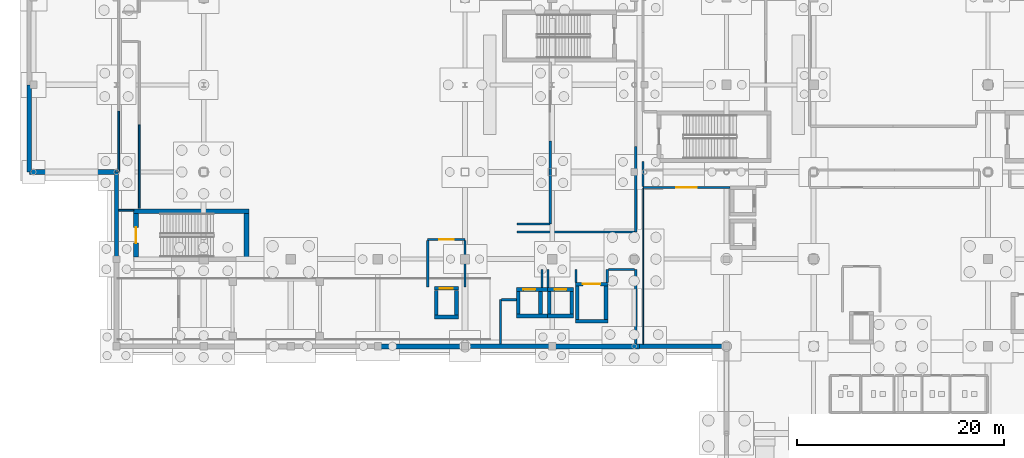
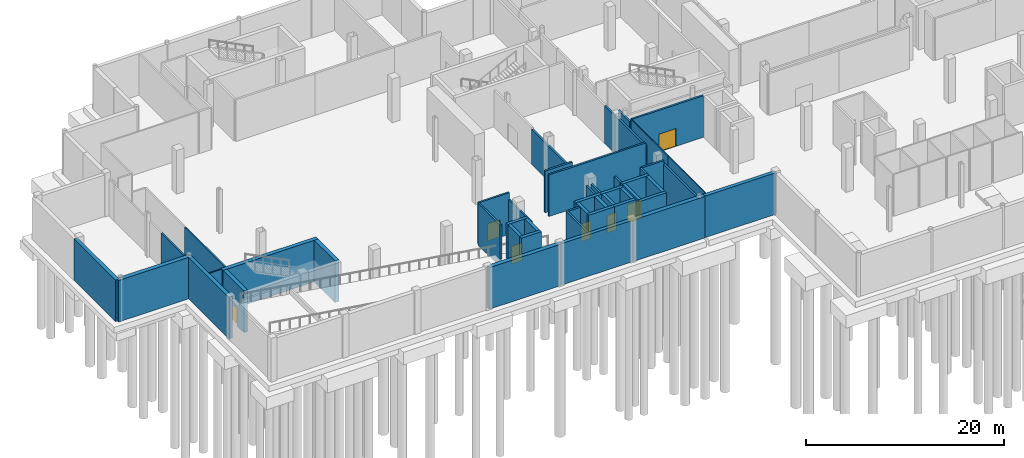
# One storey, part 26 of 49: 48 walls, 7 doors, 7 openings.
"""IFC4 building model written with IfcOpenShell, lengths in metres."""

from ifc_helpers import new_model, si_unit, direction, frame, frame_2d, origin, place, context, subcontext, project, spatial, rectangle, extrude, material, layer, layer_set, type_object, element, fill, save


model = new_model("IFC4")

# Units and contexts
model_context = context("Model", 3, precision=1e-05, world=origin(), true_north=direction((0.0, 1.0)))
body_context = subcontext(model_context, "Body", "Model", "MODEL_VIEW")
ifc_project = project(units=[si_unit("LENGTHUNIT", "METRE"), si_unit("AREAUNIT", "SQUARE_METRE"), si_unit("VOLUMEUNIT", "CUBIC_METRE"), si_unit("PLANEANGLEUNIT", "RADIAN"), si_unit("MASSUNIT", "GRAM", prefix="KILO"), si_unit("THERMODYNAMICTEMPERATUREUNIT", "KELVIN")], contexts=[model_context])

# Site, building, storey
site_placement = place(None, origin())
site = spatial("IfcSite", under=ifc_project, at=site_placement, CompositionType="ELEMENT")
building_placement = place(site_placement, origin())
building = spatial("IfcBuilding", under=site, at=building_placement, Name="Lustrewick Department Store", CompositionType="ELEMENT")
storey_placement = place(building_placement, frame((0.0, 0.0, -5.39990234375)))
storey = spatial("IfcBuildingStorey", under=building, at=storey_placement, Name="B1", CompositionType="ELEMENT", Elevation=-5.39990234375)

# Walls
ifc_material_1 = material(Name="Autoclaved aerated concrete blockwork and fire board", Category="masonry")
ifc_layer_1 = layer(ifc_material_1, 0.219970703125, Name="Autoclaved aerated concrete blockwork and fire board")
ifc_layer_set_1 = layer_set([ifc_layer_1], Name="Autoclaved aerated concrete blockwork and fire board")
wall_type_1 = type_object("IfcWallType", Name="PW01", PredefinedType="PARTITIONING", material=ifc_layer_set_1)
wall_1_placement = place(storey_placement, frame((58.43994140625, 53.010009765625, 0.0), z_axis=(0.0, 0.0, 1.0), x_axis=(0.0, 1.0, 0.0)))
element("IfcWall", 1, at=wall_1_placement, inside=storey, type_object=wall_type_1, Name="B1 V1 Reserve Merchandise Stockroom 1 PW01", PredefinedType="PARTITIONING", context=body_context, shape_type="SweptSolid", body=[
    extrude(rectangle(XDim=8.239990234375, YDim=0.219970703125, at=frame_2d((4.1201171875, 0.0))), origin(), (0.0, 0.0, 1.0), 4.681884765625),
])
wall_2_placement = place(storey_placement, frame((50.2099609375, 61.794921875, 0.0), z_axis=(0.0, 0.0, 1.0), x_axis=(0.0, -1.0, 0.0)))
element("IfcWall", 2, at=wall_2_placement, inside=storey, type_object=wall_type_1, Name="B1 V1 Reserve Merchandise Stockroom 1 PW01", PredefinedType="PARTITIONING", context=body_context, shape_type="SweptSolid", body=[
    extrude(rectangle(XDim=7.994873046875, YDim=0.219970703125, at=frame_2d((3.99755859375, 0.0))), origin(), (0.0, 0.0, 1.0), 4.322021484375),
])
wall_3_placement = place(storey_placement, frame((47.010009765625, 53.010009765625, 0.0), z_axis=(0.0, 0.0, 1.0), x_axis=(1.0, 0.0, 0.0)))
element("IfcWall", 3, at=wall_3_placement, inside=storey, type_object=wall_type_1, Name="B1 V1 Reserve Merchandise Stockroom 1 PW01", PredefinedType="PARTITIONING", context=body_context, shape_type="SweptSolid", body=[
    extrude(rectangle(XDim=11.324951171875, YDim=0.219970703125, at=frame_2d((5.66259765625, 0.0))), origin(), (0.0, 0.0, 1.0), 5.14501953125),
])
wall_4_placement = place(storey_placement, frame((50.199951171875, 53.7900390625, 0.0), z_axis=(0.0, 0.0, 1.0), x_axis=(-1.0, 0.0, 0.0)))
element("IfcWall", 4, at=wall_4_placement, inside=storey, type_object=wall_type_1, Name="B1 V1 Reserve Merchandise Stockroom 1 PW01", PredefinedType="PARTITIONING", context=body_context, shape_type="SweptSolid", body=[
    extrude(rectangle(XDim=3.18994140625, YDim=0.219970703125, at=frame_2d((1.594970703125, 0.0))), origin(), (0.0, 0.0, 1.0), 5.14501953125),
])
wall_5_placement = place(storey_placement, frame((58.43994140625, 42.235107421875, 0.0), z_axis=(0.0, 0.0, 1.0), x_axis=(0.0, 1.0, 0.0)))
element("IfcWall", 5, at=wall_5_placement, inside=storey, type_object=wall_type_1, Name="B1 V1 Reserve Merchandise Stockroom 2 PW01", PredefinedType="PARTITIONING", context=body_context, shape_type="SweptSolid", body=[
    extrude(rectangle(XDim=7.15478515625, YDim=0.219970703125, at=frame_2d((3.577392578125, 0.0))), origin(), (0.0, 0.0, 1.0), 4.681884765625),
])
for number, where, z_axis, x_axis, name in (
    (6, (55.7099609375, 49.389892578125, 0.0), (0.0, 0.0, 1.0), (0.0, -1.0, 0.0), "B1 V1 Reserve Merchandise Stockroom 2 PW01"),
    (7, (52.68994140625, 48.155029296875, 0.0), (0.0, 0.0, 1.0), (0.0, 1.0, 0.0), "B1 V1 Reserve Merchandise Stockroom 2 PW01"),
):
    element("IfcWall", number, at=place(storey_placement, frame(where, z_axis=z_axis, x_axis=x_axis)), inside=storey, type_object=wall_type_1, Name=name, PredefinedType="PARTITIONING", context=body_context, shape_type="SweptSolid", body=[
        extrude(rectangle(XDim=1.23486328125, YDim=0.219970703125, at=frame_2d((0.617431640625, 0.0))), origin(), (0.0, 0.0, 1.0), 5.14501953125),
    ])
for number, where, z_axis, x_axis, name in (
    (8, (49.989990234375, 47.655029296875, 0.0), (0.0, 0.0, 1.0), (0.0, 1.0, 0.0), "B1 V1 Reserve Merchandise Stockroom 2 PW01"),
    (9, (49.409912109375, 49.389892578125, 0.0), (0.0, 0.0, 1.0), (0.0, -1.0, 0.0), "B1 V1 Reserve Merchandise Stockroom 2 PW01"),
):
    element("IfcWall", number, at=place(storey_placement, frame(where, z_axis=z_axis, x_axis=x_axis)), inside=storey, type_object=wall_type_1, Name=name, PredefinedType="PARTITIONING", context=body_context, shape_type="SweptSolid", body=[
        extrude(rectangle(XDim=1.73486328125, YDim=0.219970703125, at=frame_2d((0.867431640625, 0.0))), origin(), (0.0, 0.0, 1.0), 5.14501953125),
    ])
wall_6_placement = place(storey_placement, frame((45.409912109375, 46.489990234375, 0.0), z_axis=(0.0, 0.0, 1.0), x_axis=(0.0, -1.0, 0.0)))
element("IfcWall", 10, at=wall_6_placement, inside=storey, type_object=wall_type_1, Name="B1 V1 Reserve Merchandise Stockroom 2 PW01", PredefinedType="PARTITIONING", context=body_context, shape_type="SweptSolid", body=[
    extrude(rectangle(XDim=4.284912109375, YDim=0.219970703125, at=frame_2d((2.142578125, 0.0))), origin(), (0.0, 0.0, 1.0), 5.14501953125),
])
wall_7_placement = place(storey_placement, frame((58.3349609375, 49.389892578125, 0.0), z_axis=(0.0, 0.0, 1.0), x_axis=(-1.0, 0.0, 0.0)))
element("IfcWall", 11, at=wall_7_placement, inside=storey, type_object=wall_type_1, Name="B1 V1 Reserve Merchandise Stockroom 2 PW01", PredefinedType="PARTITIONING", context=body_context, shape_type="SweptSolid", body=[
    extrude(rectangle(XDim=2.52001953125, YDim=0.219970703125, at=frame_2d((1.260009765625, 0.0))), origin(), (0.0, 0.0, 1.0), 5.14501953125),
])
wall_8_placement = place(storey_placement, frame((46.945068359375, 46.489990234375, 0.0), z_axis=(0.0, 0.0, 1.0), x_axis=(-1.0, 0.0, 0.0)))
element("IfcWall", 12, at=wall_8_placement, inside=storey, type_object=wall_type_1, Name="B1 V1 Reserve Merchandise Stockroom 2 PW01", PredefinedType="PARTITIONING", context=body_context, shape_type="SweptSolid", body=[
    extrude(rectangle(XDim=1.43017578125, YDim=0.219970703125, at=frame_2d((0.715087890625, 0.0))), origin(), (0.0, 0.0, 1.0), 5.14501953125),
])

# Wall, opening, door
wall_9_placement = place(storey_placement, frame((59.159912109375, 57.313720703125, 0.0), z_axis=(0.0, 0.0, 1.0), x_axis=(1.0, 0.0, 0.0)))
wall_9 = element("IfcWall", 13, at=wall_9_placement, inside=storey, type_object=wall_type_1, Name="B1 V2 Reserve Stockroom 1 PW01", PredefinedType="PARTITIONING", context=body_context, shape_type="SweptSolid", body=[
    extrude(rectangle(XDim=8.380126953125, YDim=0.219970703125, at=frame_2d((4.18994140625, 0.0))), origin(), (0.0, 0.0, 1.0), 5.14501953125),
])
opening_1_placement = place(wall_9_placement, frame((3.18994140625, 0.0, 0.0)))
opening_1 = element("IfcOpeningElement", 14, at=opening_1_placement, cuts=wall_9, Name="Opening D-B1-053", PredefinedType="OPENING", context=body_context, shape_type="SweptSolid", body=[
    extrude(rectangle(XDim=2.0, YDim=2.199951171875, at=frame_2d((1.0, 1.10009765625))), frame((0.0, 0.1201171875, 0.0), z_axis=(0.0, -1.0, 0.0), x_axis=(1.0, 0.0, 0.0)), (0.0, 0.0, 1.0), 0.239990234375),
])
ifc_material_2 = material(Name="Steel fire door Class A EI 90", Category="steel")
door_type_1 = type_object("IfcDoorType", Name="DT-06", OperationType="NOTDEFINED", PredefinedType="DOOR", material=ifc_material_2)
door_1_placement = place(opening_1_placement, origin())
door_1 = element("IfcDoor", 15, at=door_1_placement, inside=storey, type_object=door_type_1, Name="B1 V2 Reserve Stockroom 1 Door D-B1-053", OperationType="DOUBLE_DOOR_SINGLE_SWING", OverallHeight=2.199951171875, OverallWidth=2.0, PredefinedType="DOOR", context=body_context, shape_type="SweptSolid", body=[
    extrude(rectangle(XDim=2.0, YDim=2.199951171875, at=frame_2d((1.0, 1.10009765625))), frame((0.0, 0.02490234375, 0.0), z_axis=(0.0, -1.0, 0.0), x_axis=(1.0, 0.0, 0.0)), (0.0, 0.0, 1.0), 0.050048828125),
])
fill(opening_1, door_1)

# Wall
wall_10_placement = place(storey_placement, frame((59.159912109375, 59.7900390625, 0.0), z_axis=(0.0, 0.0, 1.0), x_axis=(0.0, -1.0, 0.0)))
element("IfcWall", 16, at=wall_10_placement, inside=storey, type_object=wall_type_1, Name="B1 V2 Reserve Stockroom 1 PW01", PredefinedType="PARTITIONING", context=body_context, shape_type="SweptSolid", body=[
    extrude(rectangle(XDim=2.371337890625, YDim=0.219970703125, at=frame_2d((1.185546875, 0.0))), origin(), (0.0, 0.0, 1.0), 4.77197265625),
])

# Wall, opening, door
ifc_layer_2 = layer(ifc_material_1, 0.205078125, Name="Autoclaved aerated concrete blockwork and fire board")
ifc_layer_set_2 = layer_set([ifc_layer_2], Name="Autoclaved aerated concrete blockwork and fire board")
wall_type_2 = type_object("IfcWallType", Name="PW02", PredefinedType="PARTITIONING", material=ifc_layer_set_2)
wall_11_placement = place(storey_placement, frame((42.0, 52.300048828125, 0.0), z_axis=(0.0, 0.0, 1.0), x_axis=(-1.0, 0.0, 0.0)))
wall_11 = element("IfcWall", 17, at=wall_11_placement, inside=storey, type_object=wall_type_2, Name="B1 Firefighting Lift Lobby FFL-01 PW02", PredefinedType="PARTITIONING", context=body_context, shape_type="SweptSolid", body=[
    extrude(rectangle(XDim=3.60009765625, YDim=0.205078125, at=frame_2d((1.800048828125, 0.0))), origin(), (0.0, 0.0, 1.0), 5.14501953125),
])
opening_2_placement = place(wall_11_placement, frame((1.10009765625, 0.0, 0.0)))
opening_2 = element("IfcOpeningElement", 18, at=opening_2_placement, cuts=wall_11, Name="Opening D-B1-041", PredefinedType="OPENING", context=body_context, shape_type="SweptSolid", body=[
    extrude(rectangle(XDim=1.39990234375, YDim=2.14990234375, at=frame_2d((0.699951171875, 1.074951171875))), frame((0.0, 0.112548828125, 0.0), z_axis=(0.0, -1.0, 0.0), x_axis=(1.0, 0.0, 0.0)), (0.0, 0.0, 1.0), 0.22509765625),
])
ifc_material_3 = material(Name="Steel fire door Class B EI 60", Category="steel")
door_type_2 = type_object("IfcDoorType", Name="DT-08", OperationType="NOTDEFINED", PredefinedType="DOOR", material=ifc_material_3)
door_2_placement = place(opening_2_placement, origin())
door_2 = element("IfcDoor", 19, at=door_2_placement, inside=storey, type_object=door_type_2, Name="B1 Firefighting Lift Lobby FFL-01 Door D-B1-041", OperationType="SINGLE_SWING_LEFT", OverallHeight=2.14990234375, OverallWidth=1.39990234375, PredefinedType="DOOR", context=body_context, shape_type="SweptSolid", body=[
    extrude(rectangle(XDim=1.39990234375, YDim=2.14990234375, at=frame_2d((0.699951171875, 1.074951171875))), frame((0.0, 0.02490234375, 0.0), z_axis=(0.0, -1.0, 0.0), x_axis=(1.0, 0.0, 0.0)), (0.0, 0.0, 1.0), 0.050048828125),
])
fill(opening_2, door_2)

# Walls
wall_12_placement = place(storey_placement, frame((42.0, 47.699951171875, 0.0), z_axis=(0.0, 0.0, 1.0), x_axis=(0.0, 1.0, 0.0)))
element("IfcWall", 20, at=wall_12_placement, inside=storey, type_object=wall_type_2, Name="B1 Firefighting Lift Lobby FFL-01 PW02", PredefinedType="PARTITIONING", context=body_context, shape_type="SweptSolid", body=[
    extrude(rectangle(XDim=4.50244140625, YDim=0.205078125, at=frame_2d((2.251220703125, 0.0))), origin(), (0.0, 0.0, 1.0), 4.322021484375),
])
wall_13_placement = place(storey_placement, frame((38.39990234375, 52.202392578125, 0.0), z_axis=(0.0, 0.0, 1.0), x_axis=(0.0, -1.0, 0.0)))
element("IfcWall", 21, at=wall_13_placement, inside=storey, type_object=wall_type_2, Name="B1 Firefighting Lift Lobby FFL-01 PW02", PredefinedType="PARTITIONING", context=body_context, shape_type="SweptSolid", body=[
    extrude(rectangle(XDim=4.50244140625, YDim=0.205078125, at=frame_2d((2.251220703125, 0.0))), origin(), (0.0, 0.0, 1.0), 5.14501953125),
])
ifc_material_4 = material(Name="Double-stud gypsum fire board with mineral wool", Category="gypsum")
ifc_layer_3 = layer(ifc_material_4, 0.1650390625, Name="Double-stud gypsum fire board with mineral wool")
ifc_layer_set_3 = layer_set([ifc_layer_3], Name="Double-stud gypsum fire board with mineral wool")
wall_type_3 = type_object("IfcWallType", Name="PW04", PredefinedType="PARTITIONING", material=ifc_layer_set_3)
wall_14_placement = place(storey_placement, frame((8.610107421875, 64.669921875, 0.0), z_axis=(0.0, 0.0, 1.0), x_axis=(0.0, -1.0, 0.0)))
element("IfcWall", 22, at=wall_14_placement, inside=storey, type_object=wall_type_3, Name="B1 Bicycle Parking Room PW04", PredefinedType="PARTITIONING", context=body_context, shape_type="SweptSolid", body=[
    extrude(rectangle(XDim=5.869873046875, YDim=0.1650390625, at=frame_2d((2.93505859375, 0.0))), origin(), (0.0, 0.0, 1.0), 4.322021484375),
])
wall_15_placement = place(storey_placement, frame((8.60498046875, 55.110107421875, 0.0), z_axis=(0.0, 0.0, 1.0), x_axis=(1.0, 0.0, 0.0)))
element("IfcWall", 23, at=wall_15_placement, inside=storey, type_object=wall_type_3, Name="B1 Bicycle Parking Room PW04", PredefinedType="PARTITIONING", context=body_context, shape_type="SweptSolid", body=[
    extrude(rectangle(XDim=1.445068359375, YDim=0.1650390625, at=frame_2d((0.72265625, 0.0))), origin(), (0.0, 0.0, 1.0), 5.14501953125),
])
wall_16_placement = place(storey_placement, frame((10.590087890625, 55.300048828125, 0.0), z_axis=(0.0, 0.0, 1.0), x_axis=(0.0, 1.0, 0.0)))
element("IfcWall", 24, at=wall_16_placement, inside=storey, type_object=wall_type_3, Name="B1 Bicycle Parking Room PW04", PredefinedType="PARTITIONING", context=body_context, shape_type="SweptSolid", body=[
    extrude(rectangle(XDim=8.044921875, YDim=0.1650390625, at=frame_2d((4.0224609375, 0.0))), origin(), (0.0, 0.0, 1.0), 5.14501953125),
])
ifc_material_5 = material(Name="Lightweight demountable studio partition", Category="gypsum")
ifc_layer_4 = layer(ifc_material_5, 0.10498046875, Name="Lightweight demountable studio partition")
ifc_layer_set_4 = layer_set([ifc_layer_4], Name="Lightweight demountable studio partition")
wall_type_4 = type_object("IfcWallType", Name="PW08", PredefinedType="PARTITIONING", material=ifc_layer_set_4)
wall_17_placement = place(storey_placement, frame((59.159912109375, 57.208740234375, 0.0), z_axis=(0.0, 0.0, 1.0), x_axis=(0.0, -1.0, 0.0)))
element("IfcWall", 25, at=wall_17_placement, inside=storey, type_object=wall_type_4, Name="B1 All-Electric Gourmet Market PW08", PredefinedType="PARTITIONING", context=body_context, shape_type="SweptSolid", body=[
    extrude(rectangle(XDim=7.447021484375, YDim=0.10498046875, at=frame_2d((3.7236328125, 0.0))), origin(), (0.0, 0.0, 1.0), 5.14501953125),
])
wall_18_placement = place(storey_placement, frame((59.159912109375, 49.76171875, 0.0), z_axis=(0.0, 0.0, 1.0), x_axis=(0.0, -1.0, 0.0)))
element("IfcWall", 26, at=wall_18_placement, inside=storey, type_object=wall_type_4, Name="B1 All-Electric Gourmet Market PW08", PredefinedType="PARTITIONING", context=body_context, shape_type="SweptSolid", body=[
    extrude(rectangle(XDim=7.556640625, YDim=0.10498046875, at=frame_2d((3.7783203125, 0.0))), origin(), (0.0, 0.0, 1.0), 5.14501953125),
])
ifc_material_6 = material(Name="Concrete C40", Category="concrete")
ifc_layer_5 = layer(ifc_material_6, 0.419921875, Name="Concrete C40")
ifc_layer_set_5 = layer_set([ifc_layer_5], Name="Concrete C40")
wall_type_5 = type_object("IfcWallType", Name="RW01", PredefinedType="USERDEFINED", material=ifc_layer_set_5)
for number, where, z_axis, x_axis, name in (
    (27, (67.199951171875, 42.0, 0.0), (0.0, 0.0, 1.0), (-1.0, 0.0, 0.0), "B1 Retaining Wall RW01 0011"),
    (28, (50.39990234375, 42.0, 0.0), (0.0, 0.0, 1.0), (-1.0, 0.0, 0.0), "B1 Retaining Wall RW01 0013"),
):
    element("IfcWall", number, at=place(storey_placement, frame(where, z_axis=z_axis, x_axis=x_axis)), inside=storey, type_object=wall_type_5, Name=name, ObjectType="RETAININGWALL", PredefinedType="USERDEFINED", context=body_context, shape_type="SweptSolid", body=[
        extrude(rectangle(XDim=8.39990234375, YDim=0.419921875, at=frame_2d((4.199951171875, 0.0))), origin(), (0.0, 0.0, 1.0), 5.1298828125),
    ])
wall_19_placement = place(storey_placement, frame((8.39990234375, 50.39990234375, 0.0), z_axis=(0.0, 0.0, 1.0), x_axis=(0.0, 1.0, 0.0)))
element("IfcWall", 29, at=wall_19_placement, inside=storey, type_object=wall_type_5, Name="B1 Retaining Wall RW01 0019", ObjectType="RETAININGWALL", PredefinedType="USERDEFINED", context=body_context, shape_type="SweptSolid", body=[
    extrude(rectangle(XDim=8.400146484375, YDim=0.419921875, at=frame_2d((4.2001953125, 0.0))), origin(), (0.0, 0.0, 1.0), 5.1298828125),
])
wall_20_placement = place(storey_placement, frame((0.0, 58.800048828125, 0.0), z_axis=(0.0, 0.0, 1.0), x_axis=(0.0, 1.0, 0.0)))
element("IfcWall", 30, at=wall_20_placement, inside=storey, type_object=wall_type_5, Name="B1 Retaining Wall RW01 0021", ObjectType="RETAININGWALL", PredefinedType="USERDEFINED", context=body_context, shape_type="SweptSolid", body=[
    extrude(rectangle(XDim=8.39990234375, YDim=0.419921875, at=frame_2d((4.199951171875, 0.0))), origin(), (0.0, 0.0, 1.0), 5.1298828125),
])
ifc_layer_6 = layer(ifc_material_6, 0.47998046875, Name="Concrete C40")
ifc_layer_set_6 = layer_set([ifc_layer_6], Name="Concrete C40")
wall_type_6 = type_object("IfcWallType", Name="RW02", PredefinedType="USERDEFINED", material=ifc_layer_set_6)
wall_21_placement = place(storey_placement, frame((58.800048828125, 42.0, 0.0), z_axis=(0.0, 0.0, 1.0), x_axis=(-1.0, 0.0, 0.0)))
element("IfcWall", 31, at=wall_21_placement, inside=storey, type_object=wall_type_6, Name="B1 Retaining Wall RW02 0012", ObjectType="RETAININGWALL", PredefinedType="USERDEFINED", context=body_context, shape_type="SweptSolid", body=[
    extrude(rectangle(XDim=8.400146484375, YDim=0.47998046875, at=frame_2d((4.2001953125, 0.0))), origin(), (0.0, 0.0, 1.0), 5.1298828125),
])
for number, where, z_axis, x_axis, name in (
    (32, (42.0, 42.0, 0.0), (0.0, 0.0, 1.0), (-1.0, 0.0, 0.0), "B1 Retaining Wall RW02 0014"),
    (33, (8.39990234375, 58.800048828125, 0.0), (0.0, 0.0, 1.0), (-1.0, 0.0, 0.0), "B1 Retaining Wall RW02 0020"),
):
    element("IfcWall", number, at=place(storey_placement, frame(where, z_axis=z_axis, x_axis=x_axis)), inside=storey, type_object=wall_type_6, Name=name, ObjectType="RETAININGWALL", PredefinedType="USERDEFINED", context=body_context, shape_type="SweptSolid", body=[
        extrude(rectangle(XDim=8.39990234375, YDim=0.47998046875, at=frame_2d((4.199951171875, 0.0))), origin(), (0.0, 0.0, 1.0), 5.1298828125),
    ])
ifc_material_7 = material(Name="Concrete C50", Category="concrete")
ifc_layer_7 = layer(ifc_material_7, 0.449951171875, Name="Concrete C50")
ifc_layer_set_7 = layer_set([ifc_layer_7], Name="Concrete C50")
wall_type_7 = type_object("IfcWallType", Name="SW01", PredefinedType="SHEAR", material=ifc_layer_set_7)
wall_22_placement = place(storey_placement, frame((20.925048828125, 50.60009765625, 0.0), z_axis=(0.0, 0.0, 1.0), x_axis=(0.0, 1.0, 0.0)))
element("IfcWall", 34, at=wall_22_placement, inside=storey, type_object=wall_type_7, Name="B1 Stair Core ST01 Shear Wall E", PredefinedType="SHEAR", context=body_context, shape_type="SweptSolid", body=[
    extrude(rectangle(XDim=4.199951171875, YDim=0.449951171875, at=frame_2d((2.10009765625, 0.0))), origin(), (0.0, 0.0, 1.0), 5.14501953125),
])
wall_23_placement = place(storey_placement, frame((21.14990234375, 55.02490234375, 0.0), z_axis=(0.0, 0.0, 1.0), x_axis=(-1.0, 0.0, 0.0)))
element("IfcWall", 35, at=wall_23_placement, inside=storey, type_object=wall_type_7, Name="B1 Stair Core ST01 Shear Wall N", PredefinedType="SHEAR", context=body_context, shape_type="SweptSolid", body=[
    extrude(rectangle(XDim=11.099853515625, YDim=0.449951171875, at=frame_2d((5.5498046875, 0.0))), origin(), (0.0, 0.0, 1.0), 5.14501953125),
])

# Wall, opening, door
wall_24_placement = place(storey_placement, frame((10.27490234375, 54.800048828125, 0.0), z_axis=(0.0, 0.0, 1.0), x_axis=(0.0, -1.0, 0.0)))
wall_24 = element("IfcWall", 36, at=wall_24_placement, inside=storey, type_object=wall_type_7, Name="B1 Stair Core ST01 Shear Wall W", PredefinedType="SHEAR", context=body_context, shape_type="SweptSolid", body=[
    extrude(rectangle(XDim=4.199951171875, YDim=0.449951171875, at=frame_2d((2.10009765625, 0.0))), origin(), (0.0, 0.0, 1.0), 5.14501953125),
])
opening_3_placement = place(wall_24_placement, frame((1.35009765625, 0.0, 0.0)))
opening_3 = element("IfcOpeningElement", 37, at=opening_3_placement, cuts=wall_24, Name="Opening D-B1-001", PredefinedType="OPENING", context=body_context, shape_type="SweptSolid", body=[
    extrude(rectangle(XDim=1.5, YDim=2.14990234375, at=frame_2d((0.75, 1.074951171875))), frame((0.0, 0.23486328125, 0.0), z_axis=(0.0, -1.0, 0.0), x_axis=(1.0, 0.0, 0.0)), (0.0, 0.0, 1.0), 0.469970703125),
])
door_type_3 = type_object("IfcDoorType", Name="DT-07", OperationType="NOTDEFINED", PredefinedType="DOOR", material=ifc_material_3)
door_3_placement = place(opening_3_placement, origin())
door_3 = element("IfcDoor", 38, at=door_3_placement, inside=storey, type_object=door_type_3, Name="B1 Smoke-Proof Stair ST01 Fire Door", OperationType="SINGLE_SWING_RIGHT", OverallHeight=2.14990234375, OverallWidth=1.5, PredefinedType="DOOR", context=body_context, shape_type="SweptSolid", body=[
    extrude(rectangle(XDim=1.5, YDim=2.14990234375, at=frame_2d((0.75, 1.074951171875))), frame((0.0, 0.02490234375, 0.0), z_axis=(0.0, -1.0, 0.0), x_axis=(1.0, 0.0, 0.0)), (0.0, 0.0, 1.0), 0.050048828125),
])
fill(opening_3, door_3)

# Walls
ifc_layer_8 = layer(ifc_material_6, 0.360107421875, Name="Concrete C40")
ifc_layer_set_8 = layer_set([ifc_layer_8], Name="Concrete C40")
wall_type_8 = type_object("IfcWallType", Name="SW04", PredefinedType="SHEAR", material=ifc_layer_set_8)
wall_25_placement = place(storey_placement, frame((39.0400390625, 44.820068359375, 0.0), z_axis=(0.0, 0.0, 1.0), x_axis=(1.0, 0.0, 0.0)))
element("IfcWall", 39, at=wall_25_placement, inside=storey, type_object=wall_type_8, Name="B1 Lift FFL-01 Shaft Wall -Y", PredefinedType="SHEAR", context=body_context, shape_type="SweptSolid", body=[
    extrude(rectangle(XDim=2.320068359375, YDim=0.360107421875, at=frame_2d((1.16015625, 0.0))), origin(), (0.0, 0.0, 1.0), 5.14501953125),
])
wall_26_placement = place(storey_placement, frame((41.179931640625, 45.0, 0.0), z_axis=(0.0, 0.0, 1.0), x_axis=(0.0, 1.0, 0.0)))
element("IfcWall", 40, at=wall_26_placement, inside=storey, type_object=wall_type_8, Name="B1 Lift FFL-01 Shaft Wall +X", PredefinedType="SHEAR", context=body_context, shape_type="SweptSolid", body=[
    extrude(rectangle(XDim=2.39990234375, YDim=0.360107421875, at=frame_2d((1.199951171875, 0.0))), origin(), (0.0, 0.0, 1.0), 5.14501953125),
])

# Wall, opening, door
wall_27_placement = place(storey_placement, frame((41.360107421875, 47.580078125, 0.0), z_axis=(0.0, 0.0, 1.0), x_axis=(-1.0, 0.0, 0.0)))
wall_27 = element("IfcWall", 41, at=wall_27_placement, inside=storey, type_object=wall_type_8, Name="B1 Lift FFL-01 Shaft Wall +Y", PredefinedType="SHEAR", context=body_context, shape_type="SweptSolid", body=[
    extrude(rectangle(XDim=2.320068359375, YDim=0.360107421875, at=frame_2d((1.16015625, 0.0))), origin(), (0.0, 0.0, 1.0), 5.14501953125),
])
opening_4_placement = place(wall_27_placement, frame((0.534912109375, 0.0, 0.0)))
opening_4 = element("IfcOpeningElement", 42, at=opening_4_placement, cuts=wall_27, Name="Opening LD-B1-01", PredefinedType="OPENING", context=body_context, shape_type="SweptSolid", body=[
    extrude(rectangle(XDim=1.25, YDim=2.199951171875, at=frame_2d((0.625, 1.10009765625))), frame((0.0, 0.18994140625, 0.0), z_axis=(0.0, -1.0, 0.0), x_axis=(1.0, 0.0, 0.0)), (0.0, 0.0, 1.0), 0.380126953125),
])
ifc_material_8 = material(Name="Stainless steel firefighting lift landing door EI 90", Category="steel")
door_type_4 = type_object("IfcDoorType", Name="DT-15", OperationType="NOTDEFINED", PredefinedType="DOOR", material=ifc_material_8)
door_4_placement = place(opening_4_placement, frame((1.25, 0.0, 0.0), z_axis=(0.0, 0.0, 1.0), x_axis=(-1.0, 0.0, 0.0)))
door_4 = element("IfcDoor", 43, at=door_4_placement, inside=storey, type_object=door_type_4, Name="B1 Lift FFL-01 Sliding Landing Door LD-B1-01", OperationType="DOUBLE_DOOR_SLIDING", OverallHeight=2.199951171875, OverallWidth=1.25, PredefinedType="DOOR", context=body_context, shape_type="SweptSolid", body=[
    extrude(rectangle(XDim=1.25, YDim=2.199951171875, at=frame_2d((0.625, 1.10009765625))), frame((0.0, 0.02490234375, 0.0), z_axis=(0.0, -1.0, 0.0), x_axis=(1.0, 0.0, 0.0)), (0.0, 0.0, 1.0), 0.050048828125),
])
fill(opening_4, door_4)

# Walls
wall_28_placement = place(storey_placement, frame((39.219970703125, 47.39990234375, 0.0), z_axis=(0.0, 0.0, 1.0), x_axis=(0.0, -1.0, 0.0)))
element("IfcWall", 44, at=wall_28_placement, inside=storey, type_object=wall_type_8, Name="B1 Lift FFL-01 Shaft Wall -X", PredefinedType="SHEAR", context=body_context, shape_type="SweptSolid", body=[
    extrude(rectangle(XDim=2.39990234375, YDim=0.360107421875, at=frame_2d((1.199951171875, 0.0))), origin(), (0.0, 0.0, 1.0), 5.14501953125),
])
wall_29_placement = place(storey_placement, frame((46.93994140625, 44.919921875, 0.0), z_axis=(0.0, 0.0, 1.0), x_axis=(1.0, 0.0, 0.0)))
element("IfcWall", 45, at=wall_29_placement, inside=storey, type_object=wall_type_8, Name="B1 Lift PL-01 Shaft Wall -Y", PredefinedType="SHEAR", context=body_context, shape_type="SweptSolid", body=[
    extrude(rectangle(XDim=3.0, YDim=0.360107421875, at=frame_2d((1.5, 0.0))), origin(), (0.0, 0.0, 1.0), 5.14501953125),
])
wall_30_placement = place(storey_placement, frame((49.280029296875, 45.10009765625, 0.0), z_axis=(0.0, 0.0, 1.0), x_axis=(0.0, 1.0, 0.0)))
element("IfcWall", 46, at=wall_30_placement, inside=storey, type_object=wall_type_8, Name="B1 Lift PL-01 Shaft Wall +X", PredefinedType="SHEAR", context=body_context, shape_type="SweptSolid", body=[
    extrude(rectangle(XDim=2.199951171875, YDim=0.360107421875, at=frame_2d((1.10009765625, 0.0))), origin(), (0.0, 0.0, 1.0), 5.14501953125),
])

# Wall, opening, door
wall_31_placement = place(storey_placement, frame((49.93994140625, 47.47998046875, 0.0), z_axis=(0.0, 0.0, 1.0), x_axis=(-1.0, 0.0, 0.0)))
wall_31 = element("IfcWall", 47, at=wall_31_placement, inside=storey, type_object=wall_type_8, Name="B1 Lift PL-01 Shaft Wall +Y", PredefinedType="SHEAR", context=body_context, shape_type="SweptSolid", body=[
    extrude(rectangle(XDim=3.0, YDim=0.360107421875, at=frame_2d((1.5, 0.0))), origin(), (0.0, 0.0, 1.0), 5.14501953125),
])
opening_5_placement = place(wall_31_placement, frame((1.1650390625, 0.0, 0.0)))
opening_5 = element("IfcOpeningElement", 48, at=opening_5_placement, cuts=wall_31, Name="Opening LD-B1-05", PredefinedType="OPENING", context=body_context, shape_type="SweptSolid", body=[
    extrude(rectangle(XDim=1.14990234375, YDim=2.199951171875, at=frame_2d((0.574951171875, 1.10009765625))), frame((0.0, 0.18994140625, 0.0), z_axis=(0.0, -1.0, 0.0), x_axis=(1.0, 0.0, 0.0)), (0.0, 0.0, 1.0), 0.380126953125),
])
ifc_material_9 = material(Name="Brushed bronze passenger lift landing door EI 60", Category="steel")
door_type_5 = type_object("IfcDoorType", Name="DT-16", OperationType="NOTDEFINED", PredefinedType="DOOR", material=ifc_material_9)
door_5_placement = place(opening_5_placement, frame((1.14990234375, 0.0, 0.0), z_axis=(0.0, 0.0, 1.0), x_axis=(-1.0, 0.0, 0.0)))
door_5 = element("IfcDoor", 49, at=door_5_placement, inside=storey, type_object=door_type_5, Name="B1 Lift PL-01 Sliding Landing Door LD-B1-05", OperationType="DOUBLE_DOOR_SLIDING", OverallHeight=2.199951171875, OverallWidth=1.14990234375, PredefinedType="DOOR", context=body_context, shape_type="SweptSolid", body=[
    extrude(rectangle(XDim=1.14990234375, YDim=2.199951171875, at=frame_2d((0.574951171875, 1.10009765625))), frame((0.0, 0.02490234375, 0.0), z_axis=(0.0, -1.0, 0.0), x_axis=(1.0, 0.0, 0.0)), (0.0, 0.0, 1.0), 0.050048828125),
])
fill(opening_5, door_5)

# Walls
wall_32_placement = place(storey_placement, frame((47.1201171875, 47.300048828125, 0.0), z_axis=(0.0, 0.0, 1.0), x_axis=(0.0, -1.0, 0.0)))
element("IfcWall", 50, at=wall_32_placement, inside=storey, type_object=wall_type_8, Name="B1 Lift PL-01 Shaft Wall -X", PredefinedType="SHEAR", context=body_context, shape_type="SweptSolid", body=[
    extrude(rectangle(XDim=2.199951171875, YDim=0.360107421875, at=frame_2d((1.10009765625, 0.0))), origin(), (0.0, 0.0, 1.0), 5.14501953125),
])
wall_33_placement = place(storey_placement, frame((49.93994140625, 44.919921875, 0.0), z_axis=(0.0, 0.0, 1.0), x_axis=(1.0, 0.0, 0.0)))
element("IfcWall", 51, at=wall_33_placement, inside=storey, type_object=wall_type_8, Name="B1 Lift PL-02 Shaft Wall -Y", PredefinedType="SHEAR", context=body_context, shape_type="SweptSolid", body=[
    extrude(rectangle(XDim=2.52001953125, YDim=0.360107421875, at=frame_2d((1.260009765625, 0.0))), origin(), (0.0, 0.0, 1.0), 5.14501953125),
])
wall_34_placement = place(storey_placement, frame((52.280029296875, 45.10009765625, 0.0), z_axis=(0.0, 0.0, 1.0), x_axis=(0.0, 1.0, 0.0)))
element("IfcWall", 52, at=wall_34_placement, inside=storey, type_object=wall_type_8, Name="B1 Lift PL-02 Shaft Wall +X", PredefinedType="SHEAR", context=body_context, shape_type="SweptSolid", body=[
    extrude(rectangle(XDim=2.199951171875, YDim=0.360107421875, at=frame_2d((1.10009765625, 0.0))), origin(), (0.0, 0.0, 1.0), 5.14501953125),
])

# Wall, opening, door
wall_35_placement = place(storey_placement, frame((52.4599609375, 47.47998046875, 0.0), z_axis=(0.0, 0.0, 1.0), x_axis=(-1.0, 0.0, 0.0)))
wall_35 = element("IfcWall", 53, at=wall_35_placement, inside=storey, type_object=wall_type_8, Name="B1 Lift PL-02 Shaft Wall +Y", PredefinedType="SHEAR", context=body_context, shape_type="SweptSolid", body=[
    extrude(rectangle(XDim=2.52001953125, YDim=0.360107421875, at=frame_2d((1.260009765625, 0.0))), origin(), (0.0, 0.0, 1.0), 5.14501953125),
])
opening_6_placement = place(wall_35_placement, frame((0.68505859375, 0.0, 0.0)))
opening_6 = element("IfcOpeningElement", 54, at=opening_6_placement, cuts=wall_35, Name="Opening LD-B1-06", PredefinedType="OPENING", context=body_context, shape_type="SweptSolid", body=[
    extrude(rectangle(XDim=1.14990234375, YDim=2.199951171875, at=frame_2d((0.574951171875, 1.10009765625))), frame((0.0, 0.18994140625, 0.0), z_axis=(0.0, -1.0, 0.0), x_axis=(1.0, 0.0, 0.0)), (0.0, 0.0, 1.0), 0.380126953125),
])
door_6_placement = place(opening_6_placement, frame((1.14990234375, 0.0, 0.0), z_axis=(0.0, 0.0, 1.0), x_axis=(-1.0, 0.0, 0.0)))
door_6 = element("IfcDoor", 55, at=door_6_placement, inside=storey, type_object=door_type_5, Name="B1 Lift PL-02 Sliding Landing Door LD-B1-06", OperationType="DOUBLE_DOOR_SLIDING", OverallHeight=2.199951171875, OverallWidth=1.14990234375, PredefinedType="DOOR", context=body_context, shape_type="SweptSolid", body=[
    extrude(rectangle(XDim=1.14990234375, YDim=2.199951171875, at=frame_2d((0.574951171875, 1.10009765625))), frame((0.0, 0.02490234375, 0.0), z_axis=(0.0, -1.0, 0.0), x_axis=(1.0, 0.0, 0.0)), (0.0, 0.0, 1.0), 0.050048828125),
])
fill(opening_6, door_6)

# Walls
wall_36_placement = place(storey_placement, frame((50.1201171875, 47.300048828125, 0.0), z_axis=(0.0, 0.0, 1.0), x_axis=(0.0, -1.0, 0.0)))
element("IfcWall", 56, at=wall_36_placement, inside=storey, type_object=wall_type_8, Name="B1 Lift PL-02 Shaft Wall -X", PredefinedType="SHEAR", context=body_context, shape_type="SweptSolid", body=[
    extrude(rectangle(XDim=2.199951171875, YDim=0.360107421875, at=frame_2d((1.10009765625, 0.0))), origin(), (0.0, 0.0, 1.0), 5.14501953125),
])
wall_37_placement = place(storey_placement, frame((52.639892578125, 44.419921875, 0.0), z_axis=(0.0, 0.0, 1.0), x_axis=(1.0, 0.0, 0.0)))
element("IfcWall", 57, at=wall_37_placement, inside=storey, type_object=wall_type_8, Name="B1 Lift GL-01 Shaft Wall -Y", PredefinedType="SHEAR", context=body_context, shape_type="SweptSolid", body=[
    extrude(rectangle(XDim=3.1201171875, YDim=0.360107421875, at=frame_2d((1.56005859375, 0.0))), origin(), (0.0, 0.0, 1.0), 5.14501953125),
])
wall_38_placement = place(storey_placement, frame((55.580078125, 44.60009765625, 0.0), z_axis=(0.0, 0.0, 1.0), x_axis=(0.0, 1.0, 0.0)))
element("IfcWall", 58, at=wall_38_placement, inside=storey, type_object=wall_type_8, Name="B1 Lift GL-01 Shaft Wall +X", PredefinedType="SHEAR", context=body_context, shape_type="SweptSolid", body=[
    extrude(rectangle(XDim=3.199951171875, YDim=0.360107421875, at=frame_2d((1.60009765625, 0.0))), origin(), (0.0, 0.0, 1.0), 5.14501953125),
])

# Wall, opening, door
wall_39_placement = place(storey_placement, frame((55.760009765625, 47.97998046875, 0.0), z_axis=(0.0, 0.0, 1.0), x_axis=(-1.0, 0.0, 0.0)))
wall_39 = element("IfcWall", 59, at=wall_39_placement, inside=storey, type_object=wall_type_8, Name="B1 Lift GL-01 Shaft Wall +Y", PredefinedType="SHEAR", context=body_context, shape_type="SweptSolid", body=[
    extrude(rectangle(XDim=3.1201171875, YDim=0.360107421875, at=frame_2d((1.56005859375, 0.0))), origin(), (0.0, 0.0, 1.0), 5.14501953125),
])
opening_7_placement = place(wall_39_placement, frame((0.7099609375, 0.0, 0.0)))
opening_7 = element("IfcOpeningElement", 60, at=opening_7_placement, cuts=wall_39, Name="Opening LD-B1-13", PredefinedType="OPENING", context=body_context, shape_type="SweptSolid", body=[
    extrude(rectangle(XDim=1.699951171875, YDim=2.300048828125, at=frame_2d((0.85009765625, 1.14990234375))), frame((0.0, 0.18994140625, 0.0), z_axis=(0.0, -1.0, 0.0), x_axis=(1.0, 0.0, 0.0)), (0.0, 0.0, 1.0), 0.380126953125),
])
ifc_material_10 = material(Name="Heavy-duty stainless goods lift landing door EI 90", Category="steel")
door_type_6 = type_object("IfcDoorType", Name="DT-17", OperationType="NOTDEFINED", PredefinedType="DOOR", material=ifc_material_10)
door_7_placement = place(opening_7_placement, frame((1.699951171875, 0.0, 0.0), z_axis=(0.0, 0.0, 1.0), x_axis=(-1.0, 0.0, 0.0)))
door_7 = element("IfcDoor", 61, at=door_7_placement, inside=storey, type_object=door_type_6, Name="B1 Lift GL-01 Sliding Landing Door LD-B1-13", OperationType="DOUBLE_DOOR_SLIDING", OverallHeight=2.300048828125, OverallWidth=1.699951171875, PredefinedType="DOOR", context=body_context, shape_type="SweptSolid", body=[
    extrude(rectangle(XDim=1.699951171875, YDim=2.300048828125, at=frame_2d((0.85009765625, 1.14990234375))), frame((0.0, 0.02490234375, 0.0), z_axis=(0.0, -1.0, 0.0), x_axis=(1.0, 0.0, 0.0)), (0.0, 0.0, 1.0), 0.050048828125),
])
fill(opening_7, door_7)

# Wall
wall_40_placement = place(storey_placement, frame((52.820068359375, 47.800048828125, 0.0), z_axis=(0.0, 0.0, 1.0), x_axis=(0.0, -1.0, 0.0)))
element("IfcWall", 62, at=wall_40_placement, inside=storey, type_object=wall_type_8, Name="B1 Lift GL-01 Shaft Wall -X", PredefinedType="SHEAR", context=body_context, shape_type="SweptSolid", body=[
    extrude(rectangle(XDim=3.199951171875, YDim=0.360107421875, at=frame_2d((1.60009765625, 0.0))), origin(), (0.0, 0.0, 1.0), 5.14501953125),
])

save(model, "model.ifc")
